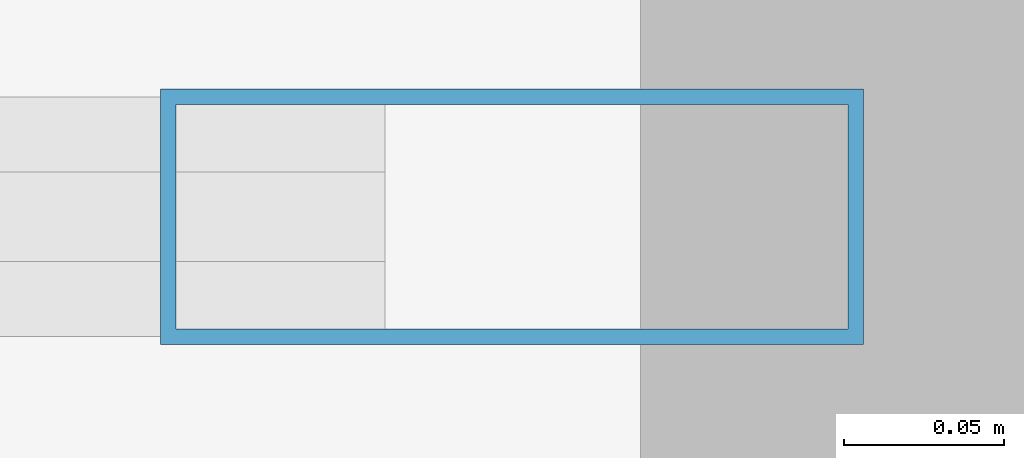
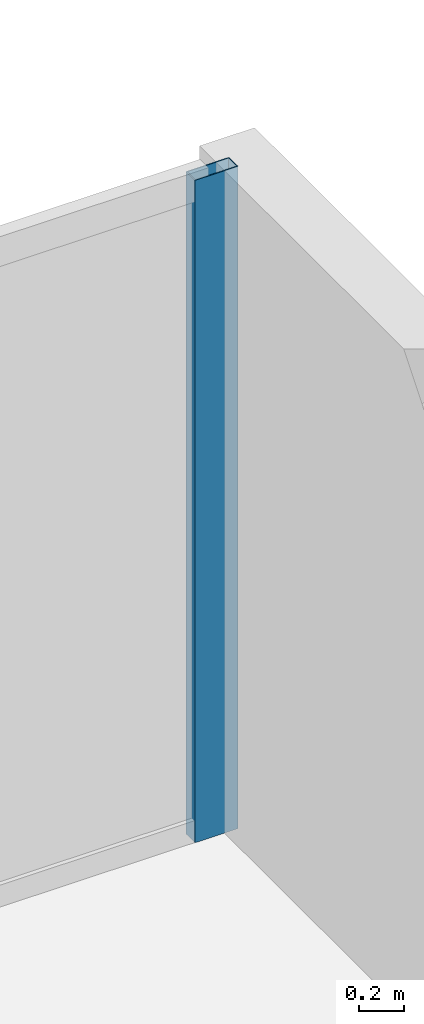
# One storey, part 15 of 27: 1 member, 1 element without a shape of its own.
"""IFC4 building model written with IfcOpenShell, lengths in metres."""

from ifc_helpers import new_model, si_unit, direction, frame, origin, origin_with_axes, origin_2d, place, context, subcontext, project, spatial, hollow_rectangle, extrude, source, transform, mapped, material, layer, layer_set, material_profile, profile_set, type_object, element, aggregate, save


model = new_model("IFC4")

# Units and contexts
model_context = context("Model", 3, precision=1e-05, world=origin(), true_north=direction((0.0, 1.0)))
body_context = subcontext(model_context, "Body", "Model", "MODEL_VIEW")
ifc_project = project(units=[si_unit("LENGTHUNIT", "METRE"), si_unit("AREAUNIT", "SQUARE_METRE"), si_unit("VOLUMEUNIT", "CUBIC_METRE"), si_unit("PLANEANGLEUNIT", "RADIAN"), si_unit("MASSUNIT", "GRAM", prefix="KILO")], contexts=[model_context])

# Site, building, storey
site_placement = place(None, origin())
site = spatial("IfcSite", under=ifc_project, at=site_placement, CompositionType="ELEMENT")
building_placement = place(site_placement, origin())
building = spatial("IfcBuilding", under=site, at=building_placement, Name="Kolvaren Waterfront Exchange", CompositionType="ELEMENT")
storey_placement = place(building_placement, frame((0.0, 0.0, 191.800048828125)))
storey = spatial("IfcBuildingStorey", under=building, at=storey_placement, Name="L49", CompositionType="ELEMENT", Elevation=191.800048828125)

# Curtain wall, member
ifc_material_1 = material(Name="Anodised bronze aluminium 6063-T6", Category="aluminium")
ifc_layer = layer(ifc_material_1, 0.219970703125, Name="Anodised bronze aluminium 6063-T6")
ifc_layer_set = layer_set([ifc_layer], Name="Anodised bronze aluminium 6063-T6")
curtain_wall_type = type_object("IfcCurtainWallType", Name="ARC-CW-SYS1", PredefinedType="USERDEFINED", material=ifc_layer_set)
curtain_wall_placement = place(storey_placement, origin())
curtain_wall = element("IfcCurtainWall", 1, at=curtain_wall_placement, inside=storey, type_object=curtain_wall_type, Name="L49 stick curtain wall CW1 (CW-L49-EN)", ObjectType="STICK CURTAIN WALL", PredefinedType="USERDEFINED")
ifc_material_2 = material(Name="Anodised aluminium 6063-T6", Category="aluminium")
ifc_material_profile = material_profile(ifc_material_2, hollow_rectangle(XDim=0.080078125, YDim=0.219970703125, WallThickness=0.0048828125, at=origin_2d()), Name="ALU-MUL-220x80x5")
ifc_profile_set = profile_set([ifc_material_profile], Name="Anodised aluminium 6063-T6")
member_type = type_object("IfcMemberType", Name="ARC-CWM-220", PredefinedType="MULLION", material=ifc_profile_set)
shared_shape = source(origin_with_axes(), body_context, "Body", "SweptSolid", [
    extrude(hollow_rectangle(XDim=0.080078125, YDim=0.219970703125, WallThickness=0.0048828125, at=origin_2d()), origin(), (0.0, 0.0, 1.0), 3.56005859375),
])
member_placement = place(storey_placement, frame((54.659912109375, 20.9599609375, 0.0), z_axis=(0.0, 0.0, 1.0), x_axis=(0.0, 1.0, 0.0)))
member = element("IfcMember", 2, at=member_placement, type_object=member_type, Name="CW1 mullion 5", PredefinedType="MULLION", context=body_context, shape_type="MappedRepresentation", body=[
    mapped(shared_shape, transform((0.0, 0.0, 0.0), x_axis=(1.0, 0.0, 0.0), y_axis=(0.0, 1.0, 0.0), z_axis=(0.0, 0.0, 1.0), scale=1.0)),
])
aggregate(curtain_wall, [member])

save(model, "model.ifc")
